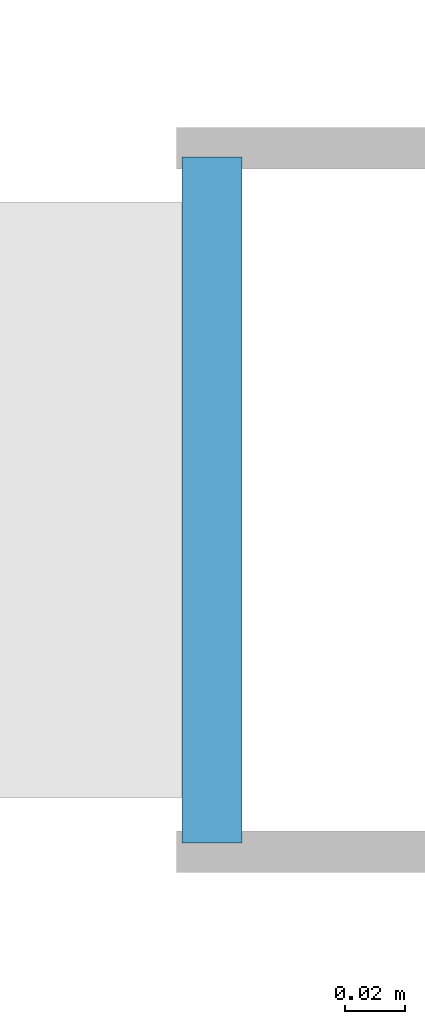
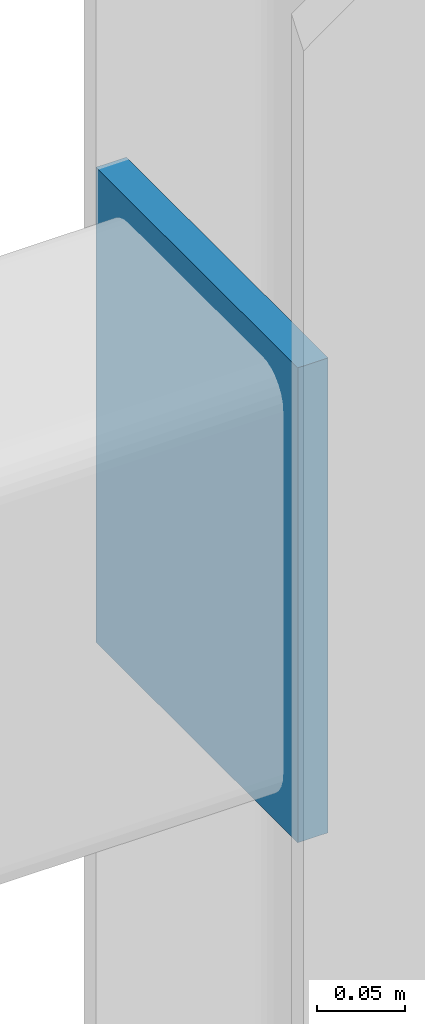
# One storey, part 149 of 184: 1 plate.
"""IFC4 building model written with IfcOpenShell, lengths in metres."""

from ifc_helpers import new_model, si_unit, direction, frame, origin, origin_2d, place, context, subcontext, project, spatial, rectangle, extrude, material, layer, layer_set, type_object, element, save


model = new_model("IFC4")

# Units and contexts
model_context = context("Model", 3, precision=1e-05, world=origin(), true_north=direction((0.0, 1.0)))
body_context = subcontext(model_context, "Body", "Model", "MODEL_VIEW")
ifc_project = project(units=[si_unit("LENGTHUNIT", "METRE"), si_unit("AREAUNIT", "SQUARE_METRE"), si_unit("VOLUMEUNIT", "CUBIC_METRE"), si_unit("PLANEANGLEUNIT", "RADIAN"), si_unit("MASSUNIT", "GRAM", prefix="KILO")], contexts=[model_context])

# Site, building, storey
site_placement = place(None, origin())
site = spatial("IfcSite", under=ifc_project, at=site_placement, CompositionType="ELEMENT")
building_placement = place(site_placement, origin())
building = spatial("IfcBuilding", under=site, at=building_placement, Name="Zhaolan Boulevard Law Courts", CompositionType="ELEMENT")
storey_placement = place(building_placement, frame((0.0, 0.0, 5.39990234375)))
storey = spatial("IfcBuildingStorey", under=building, at=storey_placement, Name="L01", CompositionType="ELEMENT", Elevation=5.39990234375)

# Plate
ifc_material = material(Name="Structural steel Q355B", Category="steel")
ifc_layer = layer(ifc_material, 0.02001953125)
ifc_layer_set = layer_set([ifc_layer])
plate_type = type_object("IfcPlateType", Name="END CAP PLATE 20", PredefinedType="SHEET", material=ifc_layer_set)
plate_placement = place(storey_placement, frame((131.886962890625, 30.0, 4.802978515625), z_axis=(0.0, 0.0, 1.0), x_axis=(1.0, 0.0, 0.0)))
element("IfcPlate", 1, at=plate_placement, inside=storey, type_object=plate_type, Name="Hollow Section End-Cap Plate ECP-0754", PredefinedType="SHEET", context=body_context, shape_type="SweptSolid", body=[
    extrude(rectangle(XDim=0.02001953125, YDim=0.22998046875, at=origin_2d()), origin(), (0.0, 0.0, 1.0), 0.330078125),
])

save(model, "model.ifc")
